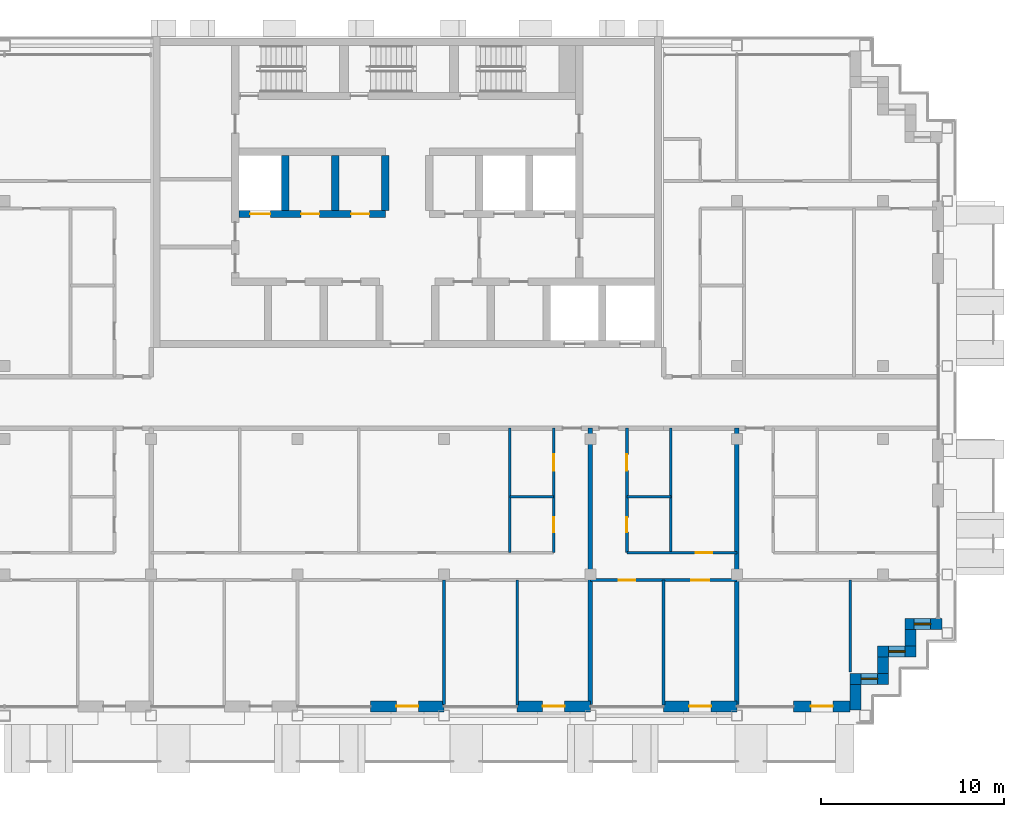
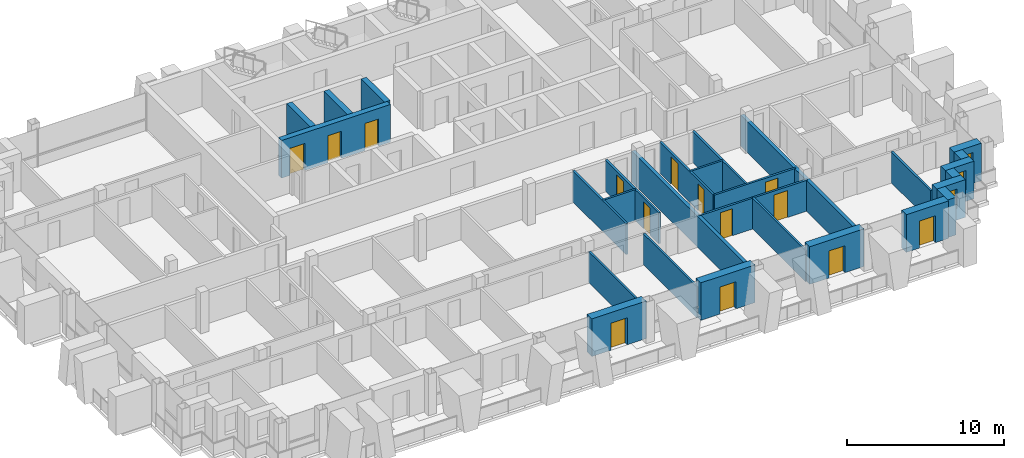
# One storey, part 9 of 16: 28 walls, 14 doors, 3 windows, 17 openings.
"""IFC4 building model written with IfcOpenShell, lengths in metres."""

from ifc_helpers import new_model, si_unit, direction, frame, frame_2d, origin, place, context, subcontext, project, spatial, rectangle, extrude, material, layer, layer_set, type_object, element, fill, save


model = new_model("IFC4")

# Units and contexts
model_context = context("Model", 3, precision=1e-05, world=origin(), true_north=direction((0.0, 1.0)))
body_context = subcontext(model_context, "Body", "Model", "MODEL_VIEW")
ifc_project = project(units=[si_unit("LENGTHUNIT", "METRE"), si_unit("AREAUNIT", "SQUARE_METRE"), si_unit("VOLUMEUNIT", "CUBIC_METRE"), si_unit("PLANEANGLEUNIT", "RADIAN"), si_unit("MASSUNIT", "GRAM", prefix="KILO")], contexts=[model_context])

# Site, building, storey
site_placement = place(None, origin())
site = spatial("IfcSite", under=ifc_project, at=site_placement, CompositionType="ELEMENT")
building_placement = place(site_placement, origin())
building = spatial("IfcBuilding", under=site, at=building_placement, Name="Vidyagriha Tower", CompositionType="ELEMENT")
storey_placement = place(building_placement, frame((0.0, 0.0, 207.60009765625)))
storey = spatial("IfcBuildingStorey", under=building, at=storey_placement, Name="L53", CompositionType="ELEMENT", Elevation=207.60009765625)

# Wall, opening, door
ifc_material_1 = material(Name="Precast concrete C40/50 with brick facing", Category="concrete")
ifc_layer_1 = layer(ifc_material_1, 0.60009765625)
ifc_layer_set_1 = layer_set([ifc_layer_1], Name="Precast concrete C40/50 with brick facing")
wall_type_1 = type_object("IfcWallType", Name="Brick-faced precast wall 600", PredefinedType="STANDARD", material=ifc_layer_set_1)
wall_1_placement = place(storey_placement, frame((-2.0, -16.60009765625, 0.0)))
wall_1 = element("IfcWall", 1, at=wall_1_placement, inside=storey, type_object=wall_type_1, Name="Brick door bay wall L53 R23.7", PredefinedType="STANDARD", context=body_context, shape_type="SweptSolid", body=[
    extrude(rectangle(XDim=4.0, YDim=0.60009765625, at=frame_2d((2.0, 0.0))), origin(), (0.0, 0.0, 1.0), 2.919921875),
])
opening_1_placement = place(wall_1_placement, frame((1.39990234375, 0.0, 0.0)))
opening_1 = element("IfcOpeningElement", 2, at=opening_1_placement, cuts=wall_1, Name="Opening D53-69", PredefinedType="OPENING", context=body_context, shape_type="SweptSolid", body=[
    extrude(rectangle(XDim=1.199951171875, YDim=2.10009765625, at=frame_2d((0.60009765625, 1.050048828125))), frame((0.0, 0.31005859375, 0.0), z_axis=(0.0, -1.0, 0.0), x_axis=(1.0, 0.0, 0.0)), (0.0, 0.0, 1.0), 0.6201171875),
])
ifc_material_2 = material(Name="Aluminium framed glazed sliding door", Category="aluminium")
door_type_1 = type_object("IfcDoorType", Name="Balcony sliding door 1200x2100", OperationType="NOTDEFINED", PredefinedType="DOOR", material=ifc_material_2)
door_1_placement = place(opening_1_placement, origin())
door_1 = element("IfcDoor", 3, at=door_1_placement, inside=storey, type_object=door_type_1, Name="Door D53-69", OperationType="SLIDING_TO_LEFT", OverallHeight=2.10009765625, OverallWidth=1.199951171875, PredefinedType="DOOR", context=body_context, shape_type="SweptSolid", body=[
    extrude(rectangle(XDim=1.199951171875, YDim=2.10009765625, at=frame_2d((0.60009765625, 1.050048828125))), frame((0.0, 0.02490234375, 0.0), z_axis=(0.0, -1.0, 0.0), x_axis=(1.0, 0.0, 0.0)), (0.0, 0.0, 1.0), 0.050048828125),
])
fill(opening_1, door_1)

wall_2_placement = place(storey_placement, frame((6.0, -16.60009765625, 0.0)))
wall_2 = element("IfcWall", 4, at=wall_2_placement, inside=storey, type_object=wall_type_1, Name="Brick door bay wall L53 R23.9", PredefinedType="STANDARD", context=body_context, shape_type="SweptSolid", body=[
    extrude(rectangle(XDim=4.0, YDim=0.60009765625, at=frame_2d((2.0, 0.0))), origin(), (0.0, 0.0, 1.0), 2.919921875),
])
opening_2_placement = place(wall_2_placement, frame((1.39990234375, 0.0, 0.0)))
opening_2 = element("IfcOpeningElement", 5, at=opening_2_placement, cuts=wall_2, Name="Opening D53-70", PredefinedType="OPENING", context=body_context, shape_type="SweptSolid", body=[
    extrude(rectangle(XDim=1.199951171875, YDim=2.10009765625, at=frame_2d((0.60009765625, 1.050048828125))), frame((0.0, 0.31005859375, 0.0), z_axis=(0.0, -1.0, 0.0), x_axis=(1.0, 0.0, 0.0)), (0.0, 0.0, 1.0), 0.6201171875),
])
door_2_placement = place(opening_2_placement, origin())
door_2 = element("IfcDoor", 6, at=door_2_placement, inside=storey, type_object=door_type_1, Name="Door D53-70", OperationType="SLIDING_TO_LEFT", OverallHeight=2.10009765625, OverallWidth=1.199951171875, PredefinedType="DOOR", context=body_context, shape_type="SweptSolid", body=[
    extrude(rectangle(XDim=1.199951171875, YDim=2.10009765625, at=frame_2d((0.60009765625, 1.050048828125))), frame((0.0, 0.02490234375, 0.0), z_axis=(0.0, -1.0, 0.0), x_axis=(1.0, 0.0, 0.0)), (0.0, 0.0, 1.0), 0.050048828125),
])
fill(opening_2, door_2)

wall_3_placement = place(storey_placement, frame((14.0, -16.60009765625, 0.0)))
wall_3 = element("IfcWall", 7, at=wall_3_placement, inside=storey, type_object=wall_type_1, Name="Brick door bay wall L53 R23.11", PredefinedType="STANDARD", context=body_context, shape_type="SweptSolid", body=[
    extrude(rectangle(XDim=4.0, YDim=0.60009765625, at=frame_2d((2.0, 0.0))), origin(), (0.0, 0.0, 1.0), 2.919921875),
])
opening_3_placement = place(wall_3_placement, frame((1.39990234375, 0.0, 0.0)))
opening_3 = element("IfcOpeningElement", 8, at=opening_3_placement, cuts=wall_3, Name="Opening D53-71", PredefinedType="OPENING", context=body_context, shape_type="SweptSolid", body=[
    extrude(rectangle(XDim=1.199951171875, YDim=2.10009765625, at=frame_2d((0.60009765625, 1.050048828125))), frame((0.0, 0.31005859375, 0.0), z_axis=(0.0, -1.0, 0.0), x_axis=(1.0, 0.0, 0.0)), (0.0, 0.0, 1.0), 0.6201171875),
])
door_3_placement = place(opening_3_placement, origin())
door_3 = element("IfcDoor", 9, at=door_3_placement, inside=storey, type_object=door_type_1, Name="Door D53-71", OperationType="SLIDING_TO_LEFT", OverallHeight=2.10009765625, OverallWidth=1.199951171875, PredefinedType="DOOR", context=body_context, shape_type="SweptSolid", body=[
    extrude(rectangle(XDim=1.199951171875, YDim=2.10009765625, at=frame_2d((0.60009765625, 1.050048828125))), frame((0.0, 0.02490234375, 0.0), z_axis=(0.0, -1.0, 0.0), x_axis=(1.0, 0.0, 0.0)), (0.0, 0.0, 1.0), 0.050048828125),
])
fill(opening_3, door_3)

wall_4_placement = place(storey_placement, frame((21.10009765625, -16.60009765625, 0.0)))
wall_4 = element("IfcWall", 10, at=wall_4_placement, inside=storey, type_object=wall_type_1, Name="Brick door bay wall L53 R23.13", PredefinedType="STANDARD", context=body_context, shape_type="SweptSolid", body=[
    extrude(rectangle(XDim=3.099853515625, YDim=0.60009765625, at=frame_2d((1.5498046875, 0.0))), origin(), (0.0, 0.0, 1.0), 2.919921875),
])
opening_4_placement = place(wall_4_placement, frame((0.949951171875, 0.0, 0.0)))
opening_4 = element("IfcOpeningElement", 11, at=opening_4_placement, cuts=wall_4, Name="Opening D53-72", PredefinedType="OPENING", context=body_context, shape_type="SweptSolid", body=[
    extrude(rectangle(XDim=1.199951171875, YDim=2.10009765625, at=frame_2d((0.60009765625, 1.050048828125))), frame((0.0, 0.31005859375, 0.0), z_axis=(0.0, -1.0, 0.0), x_axis=(1.0, 0.0, 0.0)), (0.0, 0.0, 1.0), 0.6201171875),
])
door_4_placement = place(opening_4_placement, origin())
door_4 = element("IfcDoor", 12, at=door_4_placement, inside=storey, type_object=door_type_1, Name="Door D53-72", OperationType="SLIDING_TO_LEFT", OverallHeight=2.10009765625, OverallWidth=1.199951171875, PredefinedType="DOOR", context=body_context, shape_type="SweptSolid", body=[
    extrude(rectangle(XDim=1.199951171875, YDim=2.10009765625, at=frame_2d((0.60009765625, 1.050048828125))), frame((0.0, 0.02490234375, 0.0), z_axis=(0.0, -1.0, 0.0), x_axis=(1.0, 0.0, 0.0)), (0.0, 0.0, 1.0), 0.050048828125),
])
fill(opening_4, door_4)

# Wall
wall_5_placement = place(storey_placement, frame((24.5, -16.800048828125, 0.0), z_axis=(0.0, 0.0, 1.0), x_axis=(0.0, 1.0, 0.0)))
element("IfcWall", 13, at=wall_5_placement, inside=storey, type_object=wall_type_1, Name="Stepped corner wall L53 R24", PredefinedType="STANDARD", context=body_context, shape_type="SweptSolid", body=[
    extrude(rectangle(XDim=1.400146484375, YDim=0.60009765625, at=frame_2d((0.7001953125, 0.0))), origin(), (0.0, 0.0, 1.0), 2.919921875),
])

# Wall, opening, window
wall_6_placement = place(storey_placement, frame((24.199951171875, -15.10009765625, 0.0)))
wall_6 = element("IfcWall", 14, at=wall_6_placement, inside=storey, type_object=wall_type_1, Name="Stepped corner wall L53 R25", PredefinedType="STANDARD", context=body_context, shape_type="SweptSolid", body=[
    extrude(rectangle(XDim=2.10009765625, YDim=0.60009765625, at=frame_2d((1.050048828125, 0.0))), origin(), (0.0, 0.0, 1.0), 2.919921875),
])
opening_5_placement = place(wall_6_placement, frame((0.60009765625, 0.0, 0.89990234375)))
opening_5 = element("IfcOpeningElement", 15, at=opening_5_placement, cuts=wall_6, Name="Opening WN1", PredefinedType="OPENING", context=body_context, shape_type="SweptSolid", body=[
    extrude(rectangle(XDim=0.89990234375, YDim=1.5, at=frame_2d((0.449951171875, 0.75))), frame((0.0, 0.31005859375, 0.0), z_axis=(0.0, -1.0, 0.0), x_axis=(1.0, 0.0, 0.0)), (0.0, 0.0, 1.0), 0.6201171875),
])
ifc_material_3 = material(Name="Aluminium and glass window", Category="aluminium")
window_type = type_object("IfcWindowType", Name="Reveal window 900x1500", PartitioningType="NOTDEFINED", PredefinedType="WINDOW", material=ifc_material_3)
window_1_placement = place(opening_5_placement, origin())
window_1 = element("IfcWindow", 16, at=window_1_placement, inside=storey, type_object=window_type, Name="Reveal window L53 R25", OverallHeight=1.5, OverallWidth=0.89990234375, PartitioningType="SINGLE_PANEL", PredefinedType="WINDOW", context=body_context, shape_type="SweptSolid", body=[
    extrude(rectangle(XDim=0.89990234375, YDim=1.5, at=frame_2d((0.449951171875, 0.75))), frame((0.0, 0.030029296875, 0.0), z_axis=(0.0, -1.0, 0.0), x_axis=(1.0, 0.0, 0.0)), (0.0, 0.0, 1.0), 0.06005859375),
])
fill(opening_5, window_1)

# Wall
wall_7_placement = place(storey_placement, frame((26.0, -14.800048828125, 0.0), z_axis=(0.0, 0.0, 1.0), x_axis=(0.0, 1.0, 0.0)))
element("IfcWall", 17, at=wall_7_placement, inside=storey, type_object=wall_type_1, Name="Stepped corner wall L53 R26", PredefinedType="STANDARD", context=body_context, shape_type="SweptSolid", body=[
    extrude(rectangle(XDim=0.900146484375, YDim=0.60009765625, at=frame_2d((0.4501953125, 0.0))), origin(), (0.0, 0.0, 1.0), 2.919921875),
])

# Wall, opening, window
wall_8_placement = place(storey_placement, frame((25.699951171875, -13.60009765625, 0.0)))
wall_8 = element("IfcWall", 18, at=wall_8_placement, inside=storey, type_object=wall_type_1, Name="Stepped corner wall L53 R27", PredefinedType="STANDARD", context=body_context, shape_type="SweptSolid", body=[
    extrude(rectangle(XDim=2.10009765625, YDim=0.60009765625, at=frame_2d((1.050048828125, 0.0))), origin(), (0.0, 0.0, 1.0), 2.919921875),
])
opening_6_placement = place(wall_8_placement, frame((0.60009765625, 0.0, 0.89990234375)))
opening_6 = element("IfcOpeningElement", 19, at=opening_6_placement, cuts=wall_8, Name="Opening WN1", PredefinedType="OPENING", context=body_context, shape_type="SweptSolid", body=[
    extrude(rectangle(XDim=0.89990234375, YDim=1.5, at=frame_2d((0.449951171875, 0.75))), frame((0.0, 0.31005859375, 0.0), z_axis=(0.0, -1.0, 0.0), x_axis=(1.0, 0.0, 0.0)), (0.0, 0.0, 1.0), 0.6201171875),
])
window_2_placement = place(opening_6_placement, origin())
window_2 = element("IfcWindow", 20, at=window_2_placement, inside=storey, type_object=window_type, Name="Reveal window L53 R27", OverallHeight=1.5, OverallWidth=0.89990234375, PartitioningType="SINGLE_PANEL", PredefinedType="WINDOW", context=body_context, shape_type="SweptSolid", body=[
    extrude(rectangle(XDim=0.89990234375, YDim=1.5, at=frame_2d((0.449951171875, 0.75))), frame((0.0, 0.030029296875, 0.0), z_axis=(0.0, -1.0, 0.0), x_axis=(1.0, 0.0, 0.0)), (0.0, 0.0, 1.0), 0.06005859375),
])
fill(opening_6, window_2)

# Wall
wall_9_placement = place(storey_placement, frame((27.5, -13.300048828125, 0.0), z_axis=(0.0, 0.0, 1.0), x_axis=(0.0, 1.0, 0.0)))
element("IfcWall", 21, at=wall_9_placement, inside=storey, type_object=wall_type_1, Name="Stepped corner wall L53 R28", PredefinedType="STANDARD", context=body_context, shape_type="SweptSolid", body=[
    extrude(rectangle(XDim=0.900146484375, YDim=0.60009765625, at=frame_2d((0.4501953125, 0.0))), origin(), (0.0, 0.0, 1.0), 2.919921875),
])

# Wall, opening, window
wall_10_placement = place(storey_placement, frame((27.199951171875, -12.10009765625, 0.0)))
wall_10 = element("IfcWall", 22, at=wall_10_placement, inside=storey, type_object=wall_type_1, Name="Stepped corner wall L53 R29", PredefinedType="STANDARD", context=body_context, shape_type="SweptSolid", body=[
    extrude(rectangle(XDim=2.0, YDim=0.60009765625, at=frame_2d((1.0, 0.0))), origin(), (0.0, 0.0, 1.0), 2.919921875),
])
opening_7_placement = place(wall_10_placement, frame((0.489990234375, 0.0, 0.89990234375)))
opening_7 = element("IfcOpeningElement", 23, at=opening_7_placement, cuts=wall_10, Name="Opening WN1", PredefinedType="OPENING", context=body_context, shape_type="SweptSolid", body=[
    extrude(rectangle(XDim=0.89990234375, YDim=1.5, at=frame_2d((0.449951171875, 0.75))), frame((0.0, 0.31005859375, 0.0), z_axis=(0.0, -1.0, 0.0), x_axis=(1.0, 0.0, 0.0)), (0.0, 0.0, 1.0), 0.6201171875),
])
window_3_placement = place(opening_7_placement, origin())
window_3 = element("IfcWindow", 24, at=window_3_placement, inside=storey, type_object=window_type, Name="Reveal window L53 R29", OverallHeight=1.5, OverallWidth=0.89990234375, PartitioningType="SINGLE_PANEL", PredefinedType="WINDOW", context=body_context, shape_type="SweptSolid", body=[
    extrude(rectangle(XDim=0.89990234375, YDim=1.5, at=frame_2d((0.449951171875, 0.75))), frame((0.0, 0.030029296875, 0.0), z_axis=(0.0, -1.0, 0.0), x_axis=(1.0, 0.0, 0.0)), (0.0, 0.0, 1.0), 0.06005859375),
])
fill(opening_7, window_3)

# Wall, openings, doors
ifc_material_4 = material(Name="Concrete C60/75", Category="concrete")
ifc_layer_2 = layer(ifc_material_4, 0.39990234375)
ifc_layer_set_2 = layer_set([ifc_layer_2], Name="Concrete C60/75")
wall_type_2 = type_object("IfcWallType", Name="Core shear wall 400 mm", PredefinedType="SHEAR", material=ifc_layer_set_2)
wall_11_placement = place(storey_placement, frame((-9.199951171875, 10.300048828125, 0.0)))
wall_11 = element("IfcWall", 25, at=wall_11_placement, inside=storey, type_object=wall_type_2, Name="Core row N front wall", PredefinedType="SHEAR", context=body_context, shape_type="SweptSolid", body=[
    extrude(rectangle(XDim=8.0, YDim=0.39990234375, at=frame_2d((4.0, 0.0))), origin(), (0.0, 0.0, 1.0), 2.919921875),
])
opening_8_placement = place(wall_11_placement, frame((0.61669921875, 0.0, 0.0)))
opening_8 = element("IfcOpeningElement", 26, at=opening_8_placement, cuts=wall_11, Name="Opening LD53-03", PredefinedType="OPENING", context=body_context, shape_type="SweptSolid", body=[
    extrude(rectangle(XDim=1.10009765625, YDim=2.10009765625, at=frame_2d((0.550048828125, 1.050048828125))), frame((0.0, 0.2099609375, 0.0), z_axis=(0.0, -1.0, 0.0), x_axis=(1.0, 0.0, 0.0)), (0.0, 0.0, 1.0), 0.419921875),
])
opening_9_placement = place(wall_11_placement, frame((3.39990234375, 0.0, 0.0)))
opening_9 = element("IfcOpeningElement", 27, at=opening_9_placement, cuts=wall_11, Name="Opening D53-06", PredefinedType="OPENING", context=body_context, shape_type="SweptSolid", body=[
    extrude(rectangle(XDim=1.0, YDim=2.10009765625, at=frame_2d((0.5, 1.050048828125))), frame((0.0, 0.2099609375, 0.0), z_axis=(0.0, -1.0, 0.0), x_axis=(1.0, 0.0, 0.0)), (0.0, 0.0, 1.0), 0.419921875),
])
opening_10_placement = place(wall_11_placement, frame((6.13330078125, 0.0, 0.0)))
opening_10 = element("IfcOpeningElement", 28, at=opening_10_placement, cuts=wall_11, Name="Opening D53-07", PredefinedType="OPENING", context=body_context, shape_type="SweptSolid", body=[
    extrude(rectangle(XDim=1.0, YDim=2.10009765625, at=frame_2d((0.5, 1.050048828125))), frame((0.0, 0.2099609375, 0.0), z_axis=(0.0, -1.0, 0.0), x_axis=(1.0, 0.0, 0.0)), (0.0, 0.0, 1.0), 0.419921875),
])
ifc_material_5 = material(Name="Hollow metal door leaf")
door_type_2 = type_object("IfcDoorType", Name="Core room door 1000 x 2100 mm EI 60", OperationType="NOTDEFINED", PredefinedType="DOOR", material=ifc_material_5)
door_5_placement = place(opening_9_placement, frame((1.0, 0.0, 0.0), z_axis=(0.0, 0.0, 1.0), x_axis=(-1.0, 0.0, 0.0)))
door_5 = element("IfcDoor", 29, at=door_5_placement, inside=storey, type_object=door_type_2, Name="Door Switchgear Room 53.14", OperationType="SINGLE_SWING_RIGHT", OverallHeight=2.10009765625, OverallWidth=1.0, PredefinedType="DOOR", context=body_context, shape_type="SweptSolid", body=[
    extrude(rectangle(XDim=1.0, YDim=2.10009765625, at=frame_2d((0.5, 1.050048828125))), frame((0.0, 0.02490234375, 0.0), z_axis=(0.0, -1.0, 0.0), x_axis=(1.0, 0.0, 0.0)), (0.0, 0.0, 1.0), 0.050048828125),
])
fill(opening_9, door_5)
door_6_placement = place(opening_10_placement, frame((1.0, 0.0, 0.0), z_axis=(0.0, 0.0, 1.0), x_axis=(-1.0, 0.0, 0.0)))
door_6 = element("IfcDoor", 30, at=door_6_placement, inside=storey, type_object=door_type_2, Name="Door Electrical Room 53.15", OperationType="SINGLE_SWING_LEFT", OverallHeight=2.10009765625, OverallWidth=1.0, PredefinedType="DOOR", context=body_context, shape_type="SweptSolid", body=[
    extrude(rectangle(XDim=1.0, YDim=2.10009765625, at=frame_2d((0.5, 1.050048828125))), frame((0.0, 0.02490234375, 0.0), z_axis=(0.0, -1.0, 0.0), x_axis=(1.0, 0.0, 0.0)), (0.0, 0.0, 1.0), 0.050048828125),
])
fill(opening_10, door_6)
ifc_material_6 = material(Name="Stainless steel sliding door panel", Category="steel")
door_type_3 = type_object("IfcDoorType", Name="Lift landing door 1100 x 2100 mm EI 90", OperationType="NOTDEFINED", PredefinedType="DOOR", material=ifc_material_6)
door_7_placement = place(opening_8_placement, origin())
door_7 = element("IfcDoor", 31, at=door_7_placement, inside=storey, type_object=door_type_3, Name="Landing door MR3 L53", OperationType="SLIDING_TO_LEFT", OverallHeight=2.10009765625, OverallWidth=1.10009765625, PredefinedType="DOOR", context=body_context, shape_type="SweptSolid", body=[
    extrude(rectangle(XDim=1.10009765625, YDim=2.10009765625, at=frame_2d((0.550048828125, 1.050048828125))), frame((0.0, 0.02490234375, 0.0), z_axis=(0.0, -1.0, 0.0), x_axis=(1.0, 0.0, 0.0)), (0.0, 0.0, 1.0), 0.050048828125),
])
fill(opening_8, door_7)

# Walls
for number, where, z_axis, x_axis, name in (
    (32, (-6.666748046875, 10.5, 0.0), (0.0, 0.0, 1.0), (0.0, 1.0, 0.0), "Core bay wall N1"),
    (33, (-3.933349609375, 10.5, 0.0), (0.0, 0.0, 1.0), (0.0, 1.0, 0.0), "Core bay wall N2"),
    (34, (-1.199951171875, 10.5, 0.0), (0.0, 0.0, 1.0), (0.0, 1.0, 0.0), "Core bay wall N3"),
):
    element("IfcWall", number, at=place(storey_placement, frame(where, z_axis=z_axis, x_axis=x_axis)), inside=storey, type_object=wall_type_2, Name=name, PredefinedType="SHEAR", context=body_context, shape_type="SweptSolid", body=[
        extrude(rectangle(XDim=3.0, YDim=0.39990234375, at=frame_2d((1.5, 0.0))), origin(), (0.0, 0.0, 1.0), 2.919921875),
    ])
ifc_material_7 = material(Name="Fired clay brick masonry", Category="masonry")
ifc_layer_3 = layer(ifc_material_7, 0.25)
ifc_layer_set_3 = layer_set([ifc_layer_3], Name="Fired clay brick masonry")
wall_type_3 = type_object("IfcWallType", Name="Fired clay brick demising wall 250", PredefinedType="PARTITIONING", material=ifc_layer_set_3)
for number, where, z_axis, x_axis, name in (
    (35, (10.0, -1.39990234375, 0.0), (0.0, 0.0, 1.0), (0.0, -1.0, 0.0), "Wall all-L53-w052"),
    (36, (18.0, -1.39990234375, 0.0), (0.0, 0.0, 1.0), (0.0, -1.0, 0.0), "Wall all-L53-w065"),
):
    element("IfcWall", number, at=place(storey_placement, frame(where, z_axis=z_axis, x_axis=x_axis)), inside=storey, type_object=wall_type_3, Name=name, PredefinedType="PARTITIONING", context=body_context, shape_type="SweptSolid", body=[
        extrude(rectangle(XDim=15.110107421875, YDim=0.25, at=frame_2d((7.55517578125, 0.0))), origin(), (0.0, 0.0, 1.0), 2.39990234375),
    ])
ifc_material_8 = material(Name="Gypsum board partition")
ifc_layer_4 = layer(ifc_material_8, 0.14990234375)
ifc_layer_set_4 = layer_set([ifc_layer_4], Name="Gypsum board partition")
wall_type_4 = type_object("IfcWallType", Name="Gypsum board partition 150", PredefinedType="PARTITIONING", material=ifc_layer_set_4)
wall_12_placement = place(storey_placement, frame((8.0, -5.14990234375, 0.0), z_axis=(0.0, 0.0, 1.0), x_axis=(-1.0, 0.0, 0.0)))
element("IfcWall", 37, at=wall_12_placement, inside=storey, type_object=wall_type_4, Name="Wall all-L53-w020", PredefinedType="PARTITIONING", context=body_context, shape_type="SweptSolid", body=[
    extrude(rectangle(XDim=2.39990234375, YDim=0.14990234375, at=frame_2d((1.199951171875, 0.0))), origin(), (0.0, 0.0, 1.0), 2.39990234375),
])
wall_13_placement = place(storey_placement, frame((5.60009765625, -8.199951171875, 0.0), z_axis=(0.0, 0.0, 1.0), x_axis=(0.0, 1.0, 0.0)))
element("IfcWall", 38, at=wall_13_placement, inside=storey, type_object=wall_type_4, Name="Wall all-L53-w021", PredefinedType="PARTITIONING", context=body_context, shape_type="SweptSolid", body=[
    extrude(rectangle(XDim=6.800048828125, YDim=0.14990234375, at=frame_2d((3.39990234375, 0.0))), origin(), (0.0, 0.0, 1.0), 2.39990234375),
])
wall_14_placement = place(storey_placement, frame((2.0, -9.699951171875, 0.0), z_axis=(0.0, 0.0, 1.0), x_axis=(0.0, -1.0, 0.0)))
element("IfcWall", 39, at=wall_14_placement, inside=storey, type_object=wall_type_4, Name="Wall all-L53-w036", PredefinedType="PARTITIONING", context=body_context, shape_type="SweptSolid", body=[
    extrude(rectangle(XDim=6.81005859375, YDim=0.14990234375, at=frame_2d((3.405029296875, 0.0))), origin(), (0.0, 0.0, 1.0), 2.39990234375),
])
wall_15_placement = place(storey_placement, frame((6.0, -9.699951171875, 0.0), z_axis=(0.0, 0.0, 1.0), x_axis=(0.0, -1.0, 0.0)))
element("IfcWall", 40, at=wall_15_placement, inside=storey, type_object=wall_type_4, Name="Wall all-L53-w037", PredefinedType="PARTITIONING", context=body_context, shape_type="SweptSolid", body=[
    extrude(rectangle(XDim=6.821044921875, YDim=0.14990234375, at=frame_2d((3.41064453125, 0.0))), origin(), (0.0, 0.0, 1.0), 2.39990234375),
])
wall_16_placement = place(storey_placement, frame((14.39990234375, -5.14990234375, 0.0), z_axis=(0.0, 0.0, 1.0), x_axis=(-1.0, 0.0, 0.0)))
element("IfcWall", 41, at=wall_16_placement, inside=storey, type_object=wall_type_4, Name="Wall all-L53-w043", PredefinedType="PARTITIONING", context=body_context, shape_type="SweptSolid", body=[
    extrude(rectangle(XDim=2.39990234375, YDim=0.14990234375, at=frame_2d((1.199951171875, 0.0))), origin(), (0.0, 0.0, 1.0), 2.39990234375),
])
wall_17_placement = place(storey_placement, frame((14.39990234375, -1.39990234375, 0.0), z_axis=(0.0, 0.0, 1.0), x_axis=(0.0, -1.0, 0.0)))
element("IfcWall", 42, at=wall_17_placement, inside=storey, type_object=wall_type_4, Name="Wall all-L53-w044", PredefinedType="PARTITIONING", context=body_context, shape_type="SweptSolid", body=[
    extrude(rectangle(XDim=6.800048828125, YDim=0.14990234375, at=frame_2d((3.39990234375, 0.0))), origin(), (0.0, 0.0, 1.0), 2.39990234375),
])

# Wall, opening, door
wall_18_placement = place(storey_placement, frame((12.0, -8.199951171875, 0.0)))
wall_18 = element("IfcWall", 43, at=wall_18_placement, inside=storey, type_object=wall_type_4, Name="Wall all-L53-w045", PredefinedType="PARTITIONING", context=body_context, shape_type="SweptSolid", body=[
    extrude(rectangle(XDim=6.0, YDim=0.14990234375, at=frame_2d((3.0, 0.0))), origin(), (0.0, 0.0, 1.0), 2.39990234375),
])
opening_11_placement = place(wall_18_placement, frame((3.75, 0.0, 0.0)))
opening_11 = element("IfcOpeningElement", 44, at=opening_11_placement, cuts=wall_18, Name="Opening D53-39", PredefinedType="OPENING", context=body_context, shape_type="SweptSolid", body=[
    extrude(rectangle(XDim=0.89990234375, YDim=2.10009765625, at=frame_2d((0.449951171875, 1.050048828125))), frame((0.0, 0.0849609375, 0.0), z_axis=(0.0, -1.0, 0.0), x_axis=(1.0, 0.0, 0.0)), (0.0, 0.0, 1.0), 0.169921875),
])
ifc_material_9 = material(Name="Timber door leaf", Category="wood")
door_type_4 = type_object("IfcDoorType", Name="Room door 900x2100", OperationType="NOTDEFINED", PredefinedType="DOOR", material=ifc_material_9)
door_8_placement = place(opening_11_placement, origin())
door_8 = element("IfcDoor", 45, at=door_8_placement, inside=storey, type_object=door_type_4, Name="Door D53-39", OperationType="SINGLE_SWING_LEFT", OverallHeight=2.10009765625, OverallWidth=0.89990234375, PredefinedType="DOOR", context=body_context, shape_type="SweptSolid", body=[
    extrude(rectangle(XDim=0.89990234375, YDim=2.10009765625, at=frame_2d((0.449951171875, 1.050048828125))), frame((0.0, 0.02490234375, 0.0), z_axis=(0.0, -1.0, 0.0), x_axis=(1.0, 0.0, 0.0)), (0.0, 0.0, 1.0), 0.050048828125),
])
fill(opening_11, door_8)

# Wall, openings, doors
wall_19_placement = place(storey_placement, frame((18.0, -9.699951171875, 0.0), z_axis=(0.0, 0.0, 1.0), x_axis=(-1.0, 0.0, 0.0)))
wall_19 = element("IfcWall", 46, at=wall_19_placement, inside=storey, type_object=wall_type_4, Name="Wall all-L53-w047", PredefinedType="PARTITIONING", context=body_context, shape_type="SweptSolid", body=[
    extrude(rectangle(XDim=8.0, YDim=0.14990234375, at=frame_2d((4.0, 0.0))), origin(), (0.0, 0.0, 1.0), 2.39990234375),
])
opening_12_placement = place(wall_19_placement, frame((5.550048828125, 0.0, 0.0)))
opening_12 = element("IfcOpeningElement", 47, at=opening_12_placement, cuts=wall_19, Name="Opening D53-40", PredefinedType="OPENING", context=body_context, shape_type="SweptSolid", body=[
    extrude(rectangle(XDim=0.89990234375, YDim=2.10009765625, at=frame_2d((0.449951171875, 1.050048828125))), frame((0.0, 0.0849609375, 0.0), z_axis=(0.0, -1.0, 0.0), x_axis=(1.0, 0.0, 0.0)), (0.0, 0.0, 1.0), 0.169921875),
])
opening_13_placement = place(wall_19_placement, frame((1.5, 0.0, 0.0)))
opening_13 = element("IfcOpeningElement", 48, at=opening_13_placement, cuts=wall_19, Name="Opening D53-41", PredefinedType="OPENING", context=body_context, shape_type="SweptSolid", body=[
    extrude(rectangle(XDim=1.0, YDim=2.10009765625, at=frame_2d((0.5, 1.050048828125))), frame((0.0, 0.0849609375, 0.0), z_axis=(0.0, -1.0, 0.0), x_axis=(1.0, 0.0, 0.0)), (0.0, 0.0, 1.0), 0.169921875),
])
ifc_material_10 = material(Name="Timber door leaf", Category="wood")
door_type_5 = type_object("IfcDoorType", Name="Room door 1000x2100", OperationType="NOTDEFINED", PredefinedType="DOOR", material=ifc_material_10)
door_9_placement = place(opening_13_placement, origin())
door_9 = element("IfcDoor", 49, at=door_9_placement, inside=storey, type_object=door_type_5, Name="Door D53-41", OperationType="SINGLE_SWING_RIGHT", OverallHeight=2.10009765625, OverallWidth=1.0, PredefinedType="DOOR", context=body_context, shape_type="SweptSolid", body=[
    extrude(rectangle(XDim=1.0, YDim=2.10009765625, at=frame_2d((0.5, 1.050048828125))), frame((0.0, 0.02490234375, 0.0), z_axis=(0.0, -1.0, 0.0), x_axis=(1.0, 0.0, 0.0)), (0.0, 0.0, 1.0), 0.050048828125),
])
fill(opening_13, door_9)
door_10_placement = place(opening_12_placement, origin())
door_10 = element("IfcDoor", 50, at=door_10_placement, inside=storey, type_object=door_type_4, Name="Door D53-40", OperationType="SINGLE_SWING_RIGHT", OverallHeight=2.10009765625, OverallWidth=0.89990234375, PredefinedType="DOOR", context=body_context, shape_type="SweptSolid", body=[
    extrude(rectangle(XDim=0.89990234375, YDim=2.10009765625, at=frame_2d((0.449951171875, 1.050048828125))), frame((0.0, 0.02490234375, 0.0), z_axis=(0.0, -1.0, 0.0), x_axis=(1.0, 0.0, 0.0)), (0.0, 0.0, 1.0), 0.050048828125),
])
fill(opening_12, door_10)

# Walls
wall_20_placement = place(storey_placement, frame((14.0, -9.699951171875, 0.0), z_axis=(0.0, 0.0, 1.0), x_axis=(0.0, -1.0, 0.0)))
element("IfcWall", 51, at=wall_20_placement, inside=storey, type_object=wall_type_4, Name="Wall all-L53-w050", PredefinedType="PARTITIONING", context=body_context, shape_type="SweptSolid", body=[
    extrude(rectangle(XDim=6.821044921875, YDim=0.14990234375, at=frame_2d((3.41064453125, 0.0))), origin(), (0.0, 0.0, 1.0), 2.39990234375),
])
wall_21_placement = place(storey_placement, frame((24.199951171875, -9.699951171875, 0.0), z_axis=(0.0, 0.0, 1.0), x_axis=(0.0, -1.0, 0.0)))
element("IfcWall", 52, at=wall_21_placement, inside=storey, type_object=wall_type_4, Name="Wall all-L53-w063", PredefinedType="PARTITIONING", context=body_context, shape_type="SweptSolid", body=[
    extrude(rectangle(XDim=5.02001953125, YDim=0.14990234375, at=frame_2d((2.510009765625, 0.0))), origin(), (0.0, 0.0, 1.0), 2.39990234375),
])

# Wall, openings, doors
ifc_material_11 = material(Name="Moisture resistant gypsum board partition")
ifc_layer_5 = layer(ifc_material_11, 0.14990234375)
ifc_layer_set_5 = layer_set([ifc_layer_5], Name="Moisture resistant gypsum board partition")
wall_type_5 = type_object("IfcWallType", Name="Gypsum board wet-area partition 150", PredefinedType="PARTITIONING", material=ifc_layer_set_5)
wall_22_placement = place(storey_placement, frame((8.0, -8.199951171875, 0.0), z_axis=(0.0, 0.0, 1.0), x_axis=(0.0, 1.0, 0.0)))
wall_22 = element("IfcWall", 53, at=wall_22_placement, inside=storey, type_object=wall_type_5, Name="Wall all-L53-w017", PredefinedType="PARTITIONING", context=body_context, shape_type="SweptSolid", body=[
    extrude(rectangle(XDim=6.800048828125, YDim=0.14990234375, at=frame_2d((3.39990234375, 0.0))), origin(), (0.0, 0.0, 1.0), 2.39990234375),
])
opening_14_placement = place(wall_22_placement, frame((4.47509765625, 0.0, 0.0)))
opening_14 = element("IfcOpeningElement", 54, at=opening_14_placement, cuts=wall_22, Name="Opening D53-26", PredefinedType="OPENING", context=body_context, shape_type="SweptSolid", body=[
    extrude(rectangle(XDim=0.89990234375, YDim=2.10009765625, at=frame_2d((0.449951171875, 1.050048828125))), frame((0.0, 0.0849609375, 0.0), z_axis=(0.0, -1.0, 0.0), x_axis=(1.0, 0.0, 0.0)), (0.0, 0.0, 1.0), 0.169921875),
])
opening_15_placement = place(wall_22_placement, frame((1.125, 0.0, 0.0)))
opening_15 = element("IfcOpeningElement", 55, at=opening_15_placement, cuts=wall_22, Name="Opening D53-27", PredefinedType="OPENING", context=body_context, shape_type="SweptSolid", body=[
    extrude(rectangle(XDim=0.800048828125, YDim=2.10009765625, at=frame_2d((0.39990234375, 1.050048828125))), frame((0.0, 0.0849609375, 0.0), z_axis=(0.0, -1.0, 0.0), x_axis=(1.0, 0.0, 0.0)), (0.0, 0.0, 1.0), 0.169921875),
])
ifc_material_12 = material(Name="Timber door leaf", Category="wood")
door_type_6 = type_object("IfcDoorType", Name="Bathroom door 800x2100", OperationType="NOTDEFINED", PredefinedType="DOOR", material=ifc_material_12)
door_11_placement = place(opening_15_placement, origin())
door_11 = element("IfcDoor", 56, at=door_11_placement, inside=storey, type_object=door_type_6, Name="Door D53-27", OperationType="SINGLE_SWING_RIGHT", OverallHeight=2.10009765625, OverallWidth=0.800048828125, PredefinedType="DOOR", context=body_context, shape_type="SweptSolid", body=[
    extrude(rectangle(XDim=0.800048828125, YDim=2.10009765625, at=frame_2d((0.39990234375, 1.050048828125))), frame((0.0, 0.02490234375, 0.0), z_axis=(0.0, -1.0, 0.0), x_axis=(1.0, 0.0, 0.0)), (0.0, 0.0, 1.0), 0.050048828125),
])
fill(opening_15, door_11)
ifc_material_13 = material(Name="Timber door leaf", Category="wood")
door_type_7 = type_object("IfcDoorType", Name="Kitchen door 900x2100", OperationType="NOTDEFINED", PredefinedType="DOOR", material=ifc_material_13)
door_12_placement = place(opening_14_placement, origin())
door_12 = element("IfcDoor", 57, at=door_12_placement, inside=storey, type_object=door_type_7, Name="Door D53-26", OperationType="SINGLE_SWING_LEFT", OverallHeight=2.10009765625, OverallWidth=0.89990234375, PredefinedType="DOOR", context=body_context, shape_type="SweptSolid", body=[
    extrude(rectangle(XDim=0.89990234375, YDim=2.10009765625, at=frame_2d((0.449951171875, 1.050048828125))), frame((0.0, 0.02490234375, 0.0), z_axis=(0.0, -1.0, 0.0), x_axis=(1.0, 0.0, 0.0)), (0.0, 0.0, 1.0), 0.050048828125),
])
fill(opening_14, door_12)

wall_23_placement = place(storey_placement, frame((12.0, -1.39990234375, 0.0), z_axis=(0.0, 0.0, 1.0), x_axis=(0.0, -1.0, 0.0)))
wall_23 = element("IfcWall", 58, at=wall_23_placement, inside=storey, type_object=wall_type_5, Name="Wall all-L53-w040", PredefinedType="PARTITIONING", context=body_context, shape_type="SweptSolid", body=[
    extrude(rectangle(XDim=6.800048828125, YDim=0.14990234375, at=frame_2d((3.39990234375, 0.0))), origin(), (0.0, 0.0, 1.0), 2.39990234375),
])
opening_16_placement = place(wall_23_placement, frame((1.425048828125, 0.0, 0.0)))
opening_16 = element("IfcOpeningElement", 59, at=opening_16_placement, cuts=wall_23, Name="Opening D53-37", PredefinedType="OPENING", context=body_context, shape_type="SweptSolid", body=[
    extrude(rectangle(XDim=0.89990234375, YDim=2.10009765625, at=frame_2d((0.449951171875, 1.050048828125))), frame((0.0, 0.0849609375, 0.0), z_axis=(0.0, -1.0, 0.0), x_axis=(1.0, 0.0, 0.0)), (0.0, 0.0, 1.0), 0.169921875),
])
opening_17_placement = place(wall_23_placement, frame((4.875, 0.0, 0.0)))
opening_17 = element("IfcOpeningElement", 60, at=opening_17_placement, cuts=wall_23, Name="Opening D53-38", PredefinedType="OPENING", context=body_context, shape_type="SweptSolid", body=[
    extrude(rectangle(XDim=0.800048828125, YDim=2.10009765625, at=frame_2d((0.39990234375, 1.050048828125))), frame((0.0, 0.0849609375, 0.0), z_axis=(0.0, -1.0, 0.0), x_axis=(1.0, 0.0, 0.0)), (0.0, 0.0, 1.0), 0.169921875),
])
door_13_placement = place(opening_17_placement, origin())
door_13 = element("IfcDoor", 61, at=door_13_placement, inside=storey, type_object=door_type_6, Name="Door D53-38", OperationType="SINGLE_SWING_RIGHT", OverallHeight=2.10009765625, OverallWidth=0.800048828125, PredefinedType="DOOR", context=body_context, shape_type="SweptSolid", body=[
    extrude(rectangle(XDim=0.800048828125, YDim=2.10009765625, at=frame_2d((0.39990234375, 1.050048828125))), frame((0.0, 0.02490234375, 0.0), z_axis=(0.0, -1.0, 0.0), x_axis=(1.0, 0.0, 0.0)), (0.0, 0.0, 1.0), 0.050048828125),
])
fill(opening_17, door_13)
door_14_placement = place(opening_16_placement, origin())
door_14 = element("IfcDoor", 62, at=door_14_placement, inside=storey, type_object=door_type_7, Name="Door D53-37", OperationType="SINGLE_SWING_LEFT", OverallHeight=2.10009765625, OverallWidth=0.89990234375, PredefinedType="DOOR", context=body_context, shape_type="SweptSolid", body=[
    extrude(rectangle(XDim=0.89990234375, YDim=2.10009765625, at=frame_2d((0.449951171875, 1.050048828125))), frame((0.0, 0.02490234375, 0.0), z_axis=(0.0, -1.0, 0.0), x_axis=(1.0, 0.0, 0.0)), (0.0, 0.0, 1.0), 0.050048828125),
])
fill(opening_16, door_14)

save(model, "model.ifc")
